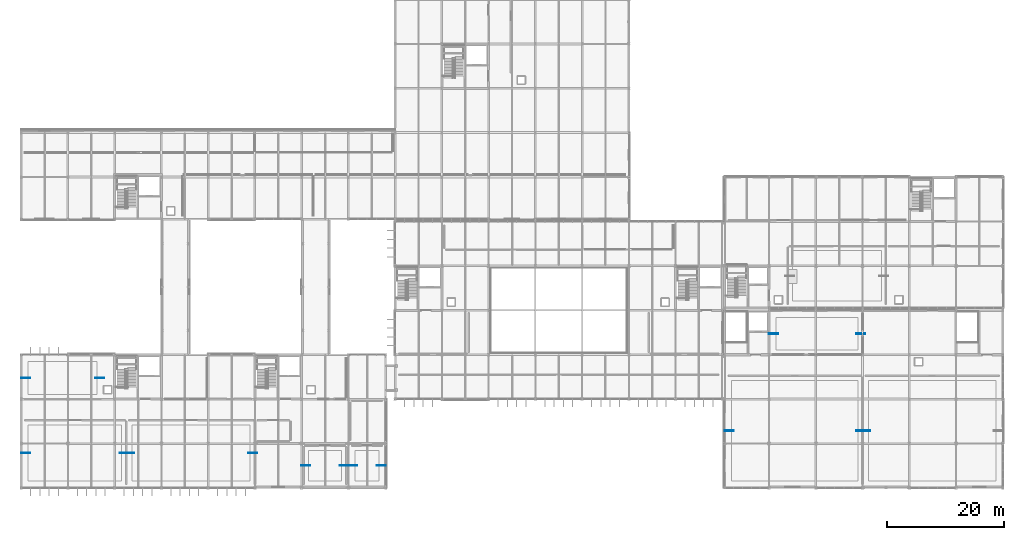
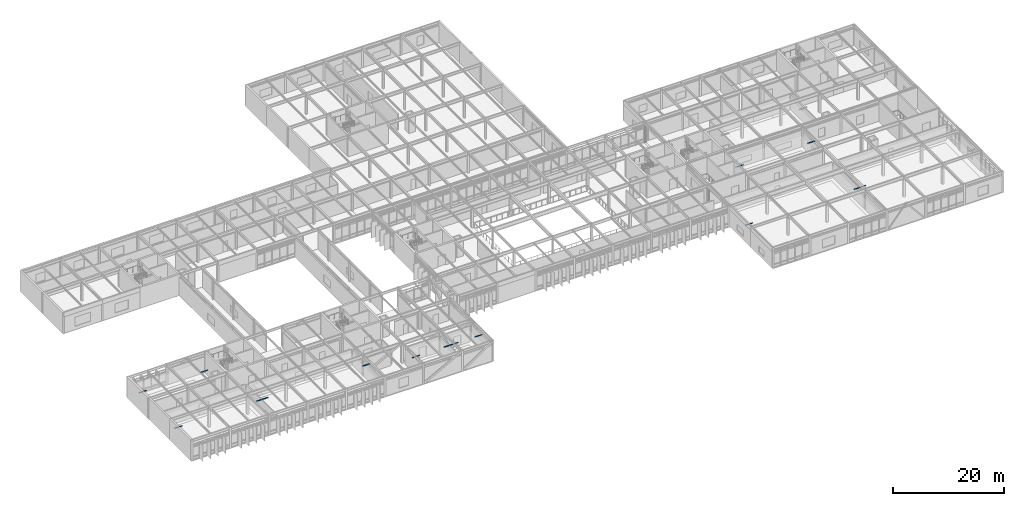
# One storey, part 91 of 104: 15 discrete accessories.
"""IFC4 building model written with IfcOpenShell, lengths in metres."""

from ifc_helpers import new_model, si_unit, direction, frame, origin, origin_2d, place, context, subcontext, project, spatial, rectangle, extrude, material, layer, layer_set, type_object, element, save


model = new_model("IFC4")

# Units and contexts
model_context = context("Model", 3, precision=1e-05, world=origin(), true_north=direction((0.0, 1.0)))
body_context = subcontext(model_context, "Body", "Model", "MODEL_VIEW")
ifc_project = project(units=[si_unit("LENGTHUNIT", "METRE"), si_unit("AREAUNIT", "SQUARE_METRE"), si_unit("VOLUMEUNIT", "CUBIC_METRE"), si_unit("PLANEANGLEUNIT", "RADIAN"), si_unit("MASSUNIT", "GRAM", prefix="KILO")], contexts=[model_context])

# Site, building, storey
site_placement = place(None, origin())
site = spatial("IfcSite", under=ifc_project, at=site_placement, CompositionType="ELEMENT")
building_placement = place(site_placement, origin())
building = spatial("IfcBuilding", under=site, at=building_placement, Name="Zulena Civic Courthouse", CompositionType="ELEMENT")
storey_placement = place(building_placement, frame((0.0, 0.0, 15.60009765625)))
storey = spatial("IfcBuildingStorey", under=building, at=storey_placement, Name="L03", CompositionType="ELEMENT", Elevation=15.60009765625)

# Discrete accessories
ifc_material = material(Name="Gold anodised architectural aluminium AA6063-T6", Category="aluminium")
ifc_layer = layer(ifc_material, 0.1201171875)
ifc_layer_set = layer_set([ifc_layer], Name="Gold anodised architectural aluminium AA6063-T6")
discrete_accessory_type = type_object("IfcDiscreteAccessoryType", Name="FinOutriggerBracket", PredefinedType="BRACKET", material=ifc_layer_set)
for number, where, z_axis, x_axis, name in (
    (1, (125.14990234375, 9.800048828125, 3.389892578125), (0.0, 0.0, 1.0), (1.0, 0.0, 0.0), "hng:ceil:L03:226:0"),
    (2, (147.64990234375, 9.800048828125, 3.389892578125), (0.0, 0.0, 1.0), (1.0, 0.0, 0.0), "hng:ceil:L03:226:1"),
    (3, (148.550048828125, 9.800048828125, 3.389892578125), (0.0, 0.0, 1.0), (1.0, 0.0, 0.0), "hng:ceil:L03:227:0"),
    (4, (132.75, 26.39990234375, 3.389892578125), (0.0, 0.0, 1.0), (1.0, 0.0, 0.0), "hng:ceil:L03:228:0"),
    (5, (147.64990234375, 26.39990234375, 3.389892578125), (0.0, 0.0, 1.0), (1.0, 0.0, 0.0), "hng:ceil:L03:228:1"),
    (6, (4.75, 6.0, 3.389892578125), (0.0, 0.0, 1.0), (1.0, 0.0, 0.0), "hng:ceil:L03:311:0"),
    (7, (21.64990234375, 6.0, 3.389892578125), (0.0, 0.0, 1.0), (1.0, 0.0, 0.0), "hng:ceil:L03:311:1"),
    (8, (22.550048828125, 6.0, 3.389892578125), (0.0, 0.0, 1.0), (1.0, 0.0, 0.0), "hng:ceil:L03:312:0"),
    (9, (43.64990234375, 6.0, 3.389892578125), (0.0, 0.0, 1.0), (1.0, 0.0, 0.0), "hng:ceil:L03:312:1"),
    (10, (52.699951171875, 3.824951171875, 3.389892578125), (0.0, 0.0, 1.0), (1.0, 0.0, 0.0), "hng:ceil:L03:314:0"),
    (11, (59.300048828125, 3.824951171875, 3.389892578125), (0.0, 0.0, 1.0), (1.0, 0.0, 0.0), "hng:ceil:L03:314:1"),
    (12, (60.699951171875, 3.824951171875, 3.389892578125), (0.0, 0.0, 1.0), (1.0, 0.0, 0.0), "hng:ceil:L03:315:0"),
    (13, (65.64990234375, 3.824951171875, 3.389892578125), (0.0, 0.0, 1.0), (1.0, 0.0, 0.0), "hng:ceil:L03:315:1"),
    (14, (4.75, 18.800048828125, 3.389892578125), (0.0, 0.0, 1.0), (1.0, 0.0, 0.0), "hng:ceil:L03:317:0"),
    (15, (17.449951171875, 18.800048828125, 3.389892578125), (0.0, 0.0, 1.0), (1.0, 0.0, 0.0), "hng:ceil:L03:317:1"),
):
    element("IfcDiscreteAccessory", number, at=place(storey_placement, frame(where, z_axis=z_axis, x_axis=x_axis)), inside=storey, type_object=discrete_accessory_type, Name=name, PredefinedType="BRACKET", context=body_context, shape_type="SweptSolid", body=[
        extrude(rectangle(XDim=1.550048828125, YDim=0.1201171875, at=origin_2d()), origin(), (0.0, 0.0, 1.0), 0.080078125),
    ])

save(model, "model.ifc")
